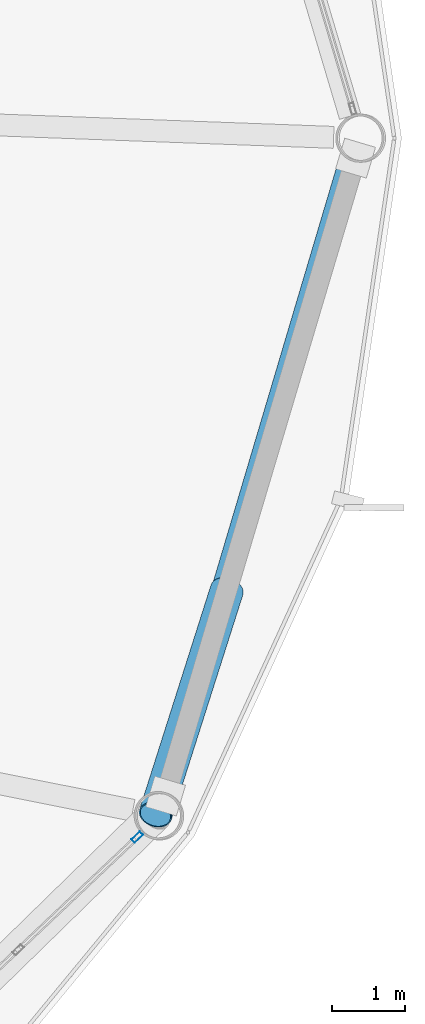
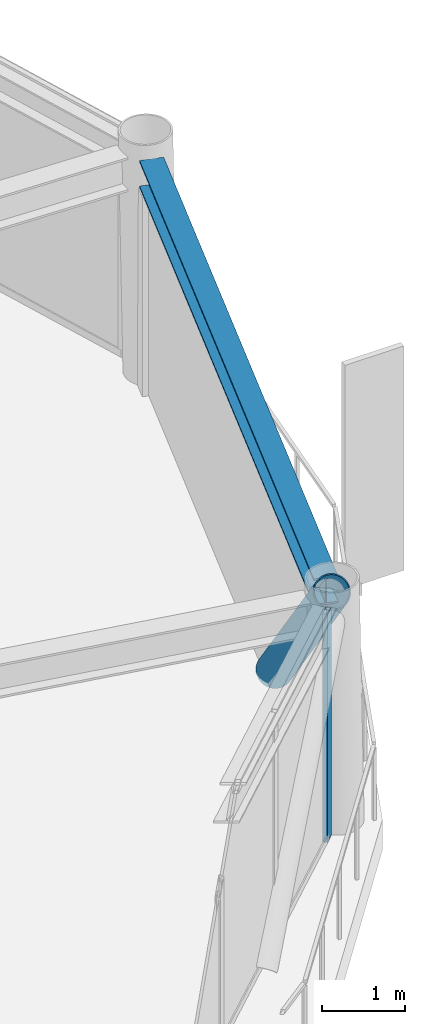
# One storey, part 11 of 25: 2 members, 1 beam, 1 element without a shape of its own.
"""IFC4 building model written with IfcOpenShell, lengths in metres."""

import ifcopenshell
import ifcopenshell.guid

model = None  # the IFC model being written
_history = None  # IfcOwnerHistory: only IFC2X3 demands one
_inside = {}  # id of a spatial element -> (the spatial element, [elements in it])
_under = {}  # id of a project, library or spatial element -> (it, [spatial elements below it])
_declared = {}  # id of a project -> (the project, [libraries it declares])
_typed = {}  # id of a type object -> (the type object, [elements of that type])
_made_of = {}  # id of a material, layer set ... -> (it, [elements and type objects made of it])


def new_model(schema):
    """Start an empty IFC model of exactly this schema.

    Asked for "IFC4X3", IfcOpenShell would pick the latest addendum, in which some entities
    have other attributes; the version numbers below select the first issue.
    IFC2X3 requires an IfcOwnerHistory on every rooted entity: one is made here for all.
    """
    global model, _history
    if schema == "IFC4X3":
        model = ifcopenshell.file(schema_version=(4, 3, 0, 0))
    else:
        model = ifcopenshell.file(schema=schema)
    _inside.clear()
    _under.clear()
    _declared.clear()
    _typed.clear()
    _made_of.clear()
    _history = None
    if model.schema == "IFC2X3":
        org = make("IfcOrganization", Name="unknown")
        user = make(
            "IfcPersonAndOrganization",
            ThePerson=make("IfcPerson", FamilyName="unknown"),
            TheOrganization=org,
        )
        app = make(
            "IfcApplication",
            ApplicationDeveloper=org,
            Version="unknown",
            ApplicationFullName="unknown",
            ApplicationIdentifier="unknown",
        )
        _history = make(
            "IfcOwnerHistory",
            OwningUser=user,
            OwningApplication=app,
            ChangeAction="ADDED",
            CreationDate=0,
        )
    return model


def make(cls, **values):
    """One entity of the class cls with the attributes given. An attribute that is None is left unset."""
    return model.create_entity(
        cls, **{name: value for name, value in values.items() if value is not None}
    )


def rooted(cls, **values):
    """An entity with a GlobalId (a new one), such as an element, a storey or a relation."""
    return make(cls, GlobalId=ifcopenshell.guid.new(), OwnerHistory=_history, **values)


def si_unit(unit_type, name, prefix=None):
    """IfcSIUnit, for example si_unit("LENGTHUNIT", "METRE", prefix="MILLI")."""
    return make("IfcSIUnit", UnitType=unit_type, Prefix=prefix, Name=name)


def assignment(units):
    """IfcUnitAssignment: the units of a project."""
    return None if units is None else make("IfcUnitAssignment", Units=units)


def point(xyz):
    """IfcCartesianPoint."""
    return None if xyz is None else make("IfcCartesianPoint", Coordinates=xyz)


def direction(xyz):
    """IfcDirection."""
    return None if xyz is None else make("IfcDirection", DirectionRatios=xyz)


def frame(location, z_axis=None, x_axis=None):
    """IfcAxis2Placement3D, a coordinate frame: its origin and axes. An axis left out is left unset."""
    return make(
        "IfcAxis2Placement3D",
        Location=point(location),
        Axis=direction(z_axis),
        RefDirection=direction(x_axis),
    )


def frame_2d(location, x_axis=None):
    """IfcAxis2Placement2D, a coordinate frame in the plane: its origin and x axis."""
    return make(
        "IfcAxis2Placement2D", Location=point(location), RefDirection=direction(x_axis)
    )


def origin():
    """The frame at (0, 0, 0) with its axes left unset."""
    return frame((0.0, 0.0, 0.0))


def origin_2d():
    """The frame at (0, 0) in the plane with its x axis left unset."""
    return frame_2d((0.0, 0.0))


def place(relative_to, where):
    """IfcLocalPlacement: puts the frame where relative to a parent placement (None: the world)."""
    return make(
        "IfcLocalPlacement", PlacementRelTo=relative_to, RelativePlacement=where
    )


def context(
    kind, dimensions, precision=None, world=None, true_north=None, identifier=None
):
    """IfcGeometricRepresentationContext, for example the 3D "Model" context."""
    return make(
        "IfcGeometricRepresentationContext",
        ContextIdentifier=identifier,
        ContextType=kind,
        CoordinateSpaceDimension=dimensions,
        Precision=precision,
        WorldCoordinateSystem=world,
        TrueNorth=true_north,
    )


def subcontext(parent, identifier, kind, view, scale=None):
    """IfcGeometricRepresentationSubContext, for example "Body" below "Model"."""
    return make(
        "IfcGeometricRepresentationSubContext",
        ContextIdentifier=identifier,
        ContextType=kind,
        ParentContext=parent,
        TargetScale=scale,
        TargetView=view,
    )


def project(units=None, contexts=None):
    """IfcProject with its units and contexts."""
    return rooted(
        "IfcProject",
        Name="project",
        RepresentationContexts=contexts,
        UnitsInContext=assignment(units),
    )


def spatial(cls, under=None, at=None, **own):
    """A site, building, storey or space (cls), placed at a placement, below another one or the project."""
    s = rooted(cls, ObjectPlacement=at, **own)
    if under is not None:
        _under.setdefault(under.id(), (under, []))[1].append(s)
    return s


def profile(cls, at=None, kind="AREA", **sizes):
    """A parametric profile (cls). Its sizes go by their IFC names, for example OverallWidth=200.0."""
    return make(cls, ProfileType=kind, Position=at, **sizes)


def hollow_rectangle(**sizes):
    """IfcRectangleHollowProfileDef."""
    return profile("IfcRectangleHollowProfileDef", **sizes)


def hollow_circle(**sizes):
    """IfcCircleHollowProfileDef."""
    return profile("IfcCircleHollowProfileDef", **sizes)


def i_section(**sizes):
    """IfcIShapeProfileDef."""
    return profile("IfcIShapeProfileDef", **sizes)


def extrude(swept, where, along, depth):
    """IfcExtrudedAreaSolid: the profile swept, set in the frame where, extruded along a direction by depth."""
    return make(
        "IfcExtrudedAreaSolid",
        SweptArea=swept,
        Position=where,
        ExtrudedDirection=direction(along),
        Depth=depth,
    )


def shape(context_of_items, identifier, shape_type, items):
    """IfcShapeRepresentation: the items that make up one representation, for example the "Body"."""
    return make(
        "IfcShapeRepresentation",
        ContextOfItems=context_of_items,
        RepresentationIdentifier=identifier,
        RepresentationType=shape_type,
        Items=items,
    )


def material(Name=None, Category=None):
    """IfcMaterial."""
    return make("IfcMaterial", Name=Name, Category=Category)


def layer(
    of_material, thickness, ventilated=None, Name=None, Category=None, Priority=None
):
    """IfcMaterialLayer: one layer of a wall or slab, of a material (None: an air gap)."""
    return make(
        "IfcMaterialLayer",
        Material=of_material,
        LayerThickness=thickness,
        IsVentilated=ventilated,
        Name=Name,
        Category=Category,
        Priority=Priority,
    )


def layer_set(layers, Name=None):
    """IfcMaterialLayerSet."""
    return make("IfcMaterialLayerSet", MaterialLayers=layers, LayerSetName=Name)


def material_profile(
    of_material, cross_section, Name=None, Category=None, Priority=None
):
    """IfcMaterialProfile: a cross section and its material."""
    return make(
        "IfcMaterialProfile",
        Name=Name,
        Material=of_material,
        Profile=cross_section,
        Priority=Priority,
        Category=Category,
    )


def profile_set(profiles, Name=None, composite=None):
    """IfcMaterialProfileSet."""
    return make(
        "IfcMaterialProfileSet",
        Name=Name,
        MaterialProfiles=profiles,
        CompositeProfile=composite,
    )


def made_of(thing, what):
    """Note that an element or type object is made of a material, layer set ...; save() writes the relation."""
    if what is not None:
        _made_of.setdefault(what.id(), (what, []))[1].append(thing)
    return thing


def type_object(cls, material=None, **own):
    """A type object (cls), such as IfcWallType, which elements share."""
    return made_of(rooted(cls, **own), material)


def element(
    cls,
    number,
    at=None,
    inside=None,
    cuts=None,
    type_object=None,
    material=None,
    context=None,
    identifier="Body",
    shape_type=None,
    held_by="IfcProductDefinitionShape",
    body=None,
    shapes=None,
    **own,
):
    """One element of the class cls, such as IfcWall. Its Tag is "e" and its number.

    at: its placement. inside: the storey or other place that contains it. cuts: it is an
    opening in that element (IfcRelVoidsElement). A single representation is given by context,
    identifier, shape_type and body (its items); several are given by shapes. held_by: the class
    of the entity that holds the representations. save() writes the other relations.
    """
    e = rooted(cls, Tag="e%d" % number, ObjectPlacement=at, **own)
    if body is not None:
        shapes = [shape(context, identifier, shape_type, body)]
    if shapes is not None:
        e.Representation = make(held_by, Representations=shapes)
    if inside is not None:
        _inside.setdefault(inside.id(), (inside, []))[1].append(e)
    if cuts is not None:
        rooted(
            "IfcRelVoidsElement", RelatingBuildingElement=cuts, RelatedOpeningElement=e
        )
    if type_object is not None:
        _typed.setdefault(type_object.id(), (type_object, []))[1].append(e)
    return made_of(e, material)


def aggregate(whole, parts):
    """IfcRelAggregates: a whole, such as a stair, and the parts it consists of."""
    return rooted("IfcRelAggregates", RelatingObject=whole, RelatedObjects=parts)


def save(model, path):
    """Write the relations noted so far, then the file.

    IfcRelAggregates (storeys below a building ...), IfcRelContainedInSpatialStructure (elements
    in a storey), IfcRelDefinesByType, IfcRelAssociatesMaterial and IfcRelDeclares: one each for
    every whole, place, type object, material and project.
    """
    for whole, parts in _under.values():
        aggregate(whole, parts)
    for where, things in _inside.values():
        rooted(
            "IfcRelContainedInSpatialStructure",
            RelatedElements=things,
            RelatingStructure=where,
        )
    for kind, things in _typed.values():
        rooted("IfcRelDefinesByType", RelatedObjects=things, RelatingType=kind)
    for what, things in _made_of.values():
        rooted("IfcRelAssociatesMaterial", RelatedObjects=things, RelatingMaterial=what)
    for by, libraries in _declared.values():
        rooted("IfcRelDeclares", RelatingContext=by, RelatedDefinitions=libraries)
    model.write(path)


model = new_model("IFC4")

# Units and contexts
model_context = context("Model", 3, precision=1e-05, world=origin(), true_north=direction((0.0, 1.0)))
body_context = subcontext(model_context, "Body", "Model", "MODEL_VIEW")
ifc_project = project(units=[si_unit("LENGTHUNIT", "METRE"), si_unit("AREAUNIT", "SQUARE_METRE"), si_unit("VOLUMEUNIT", "CUBIC_METRE"), si_unit("PLANEANGLEUNIT", "RADIAN"), si_unit("MASSUNIT", "GRAM", prefix="KILO")], contexts=[model_context])

# Site, building, storey
site_placement = place(None, origin())
site = spatial("IfcSite", under=ifc_project, at=site_placement, CompositionType="ELEMENT")
building_placement = place(site_placement, origin())
building = spatial("IfcBuilding", under=site, at=building_placement, Name="Varnakorn Sky Granary", CompositionType="ELEMENT")
storey_placement = place(building_placement, frame((0.0, 0.0, 178.800048828125)))
storey = spatial("IfcBuildingStorey", under=building, at=storey_placement, Name="L44", CompositionType="ELEMENT", Elevation=178.800048828125)

# Beam
ifc_material_1 = material(Name="Steel S355JR", Category="steel")
ifc_material_profile_1 = material_profile(ifc_material_1, i_section(OverallWidth=0.300048828125, OverallDepth=0.39990234375, WebThickness=0.013427734375, FlangeThickness=0.02392578125, at=origin_2d()), Name="HE 400 B")
ifc_profile_set_1 = profile_set([ifc_material_profile_1], Name="Steel S355JR")
beam_type = type_object("IfcBeamType", Name="BM-SPD-Z4", PredefinedType="SPANDREL", material=ifc_profile_set_1)
beam_placement = place(storey_placement, frame((21.896484375, -8.9716796875, 3.159912109375), z_axis=(0.28508622157, 0.958501875987, 0.0), x_axis=(-0.958501875987, 0.28508622157, 0.0)))
element("IfcBeam", 1, at=beam_placement, inside=storey, type_object=beam_type, Name="Perimeter Spandrel Ring Beam RB12 L44", PredefinedType="SPANDREL", context=body_context, shape_type="SweptSolid", body=[
    extrude(i_section(OverallWidth=0.300048828125, OverallDepth=0.39990234375, WebThickness=0.013427734375, FlangeThickness=0.02392578125, at=origin_2d()), origin(), (0.0, 0.0, 1.0), 9.044921875),
])

# Curtain wall, member
ifc_material_2 = material(Name="Anodised Bronze Aluminium Alloy 6063-T6", Category="aluminium")
ifc_layer = layer(ifc_material_2, 0.169921875, Name="Anodised Bronze Aluminium Alloy 6063-T6")
ifc_layer_set = layer_set([ifc_layer], Name="Anodised Bronze Aluminium Alloy 6063-T6")
curtain_wall_type = type_object("IfcCurtainWallType", Name="CW-LAB-1", PredefinedType="USERDEFINED", material=ifc_layer_set)
curtain_wall_placement = place(storey_placement, origin())
curtain_wall = element("IfcCurtainWall", 2, at=curtain_wall_placement, inside=storey, type_object=curtain_wall_type, Name="Unitised Curtain Wall CW5 CW-L44-B11", ObjectType="CURTAIN WALL", PredefinedType="USERDEFINED")
ifc_material_profile_2 = material_profile(ifc_material_2, hollow_rectangle(XDim=0.06494140625, YDim=0.159912109375, WallThickness=0.00341796875, at=origin_2d()), Name="ALU MULL 65x160")
ifc_profile_set_2 = profile_set([ifc_material_profile_2], Name="Anodised Bronze Aluminium Alloy 6063-T6")
member_type_1 = type_object("IfcMemberType", Name="CW-LAB-1-MULL", PredefinedType="MULLION", material=ifc_profile_set_2)
member_1_placement = place(storey_placement, frame((21.557861328125, -9.580810546875, 0.0), z_axis=(0.0, 0.0, 1.0), x_axis=(0.687123508986, -0.726540627494, 0.0)))
member_1 = element("IfcMember", 3, at=member_1_placement, type_object=member_type_1, Name="CW5 mullion 1", PredefinedType="MULLION", context=body_context, shape_type="SweptSolid", body=[
    extrude(hollow_rectangle(XDim=0.06494140625, YDim=0.159912109375, WallThickness=0.00341796875, at=origin_2d()), origin(), (0.0, 0.0, 1.0), 3.35986328125),
])
aggregate(curtain_wall, [member_1])

# Member
ifc_material_3 = material(Name="Steel S460M", Category="steel")
ifc_material_profile_3 = material_profile(ifc_material_3, hollow_circle(Radius=0.228515625, WallThickness=0.01611328125, at=origin_2d()), Name="CHS 457x16")
ifc_profile_set_3 = profile_set([ifc_material_profile_3], Name="Steel S460M")
member_type_2 = type_object("IfcMemberType", Name="MB-DIAG-T3", PredefinedType="BRACE", material=ifc_profile_set_3)
member_2_placement = place(storey_placement, frame((22.787109375, -6.193603515625, 0.0), z_axis=(-0.21025522115, -0.660615097087, 0.720680536354), x_axis=(0.952900975702, -0.303281602651, 0.0)))
element("IfcMember", 4, at=member_2_placement, inside=storey, type_object=member_type_2, Name="Perimeter CHS Diagrid Brace DG12 L44", PredefinedType="BRACE", context=body_context, shape_type="SweptSolid", body=[
    extrude(hollow_circle(Radius=0.228515625, WallThickness=0.01611328125, at=origin_2d()), origin(), (0.0, 0.0, 1.0), 4.662109375),
])

save(model, "model.ifc")
